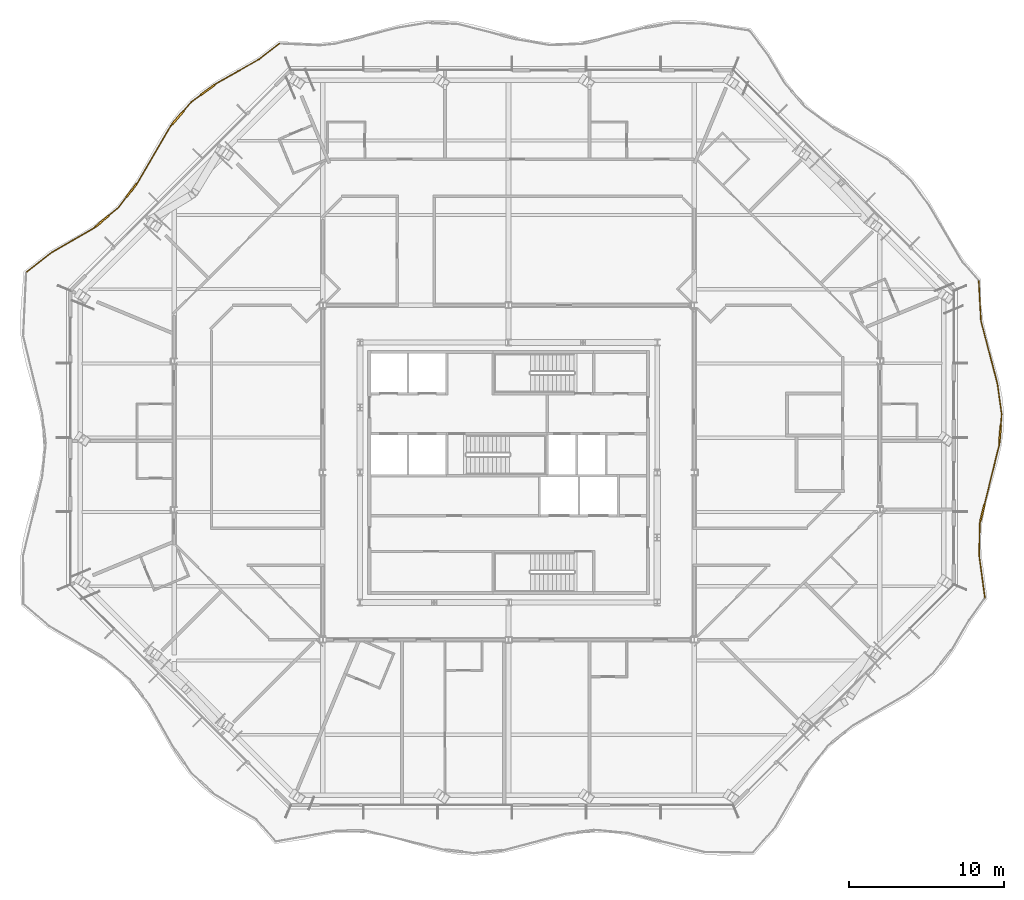
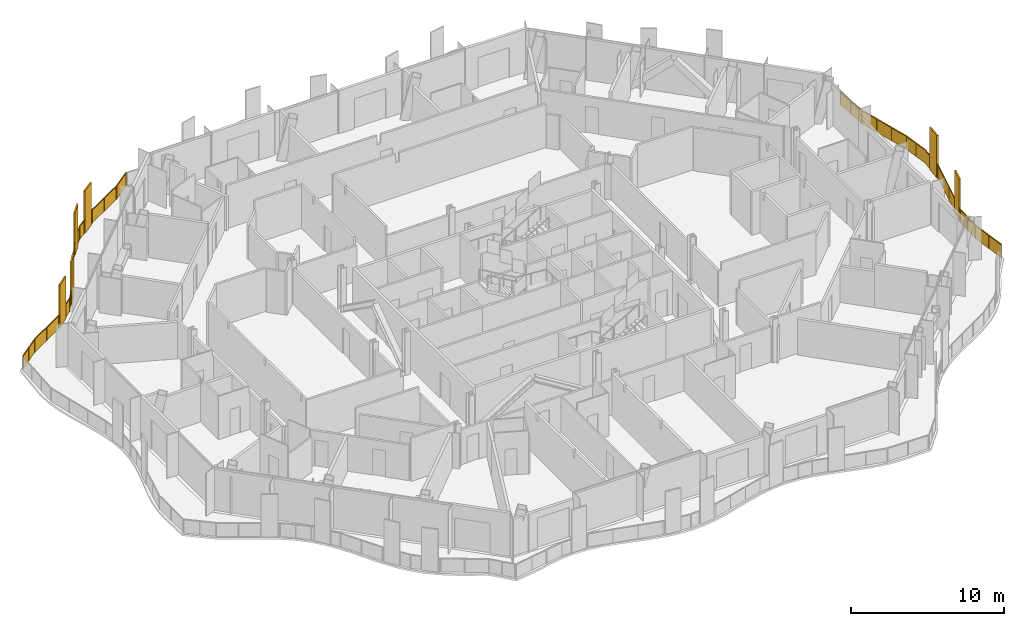
# One storey, part 20 of 22: 2 railings.
"""IFC4 building model written with IfcOpenShell, lengths in metres."""

from ifc_helpers import new_model, si_unit, direction, frame, origin, origin_2d, place, context, subcontext, project, spatial, polyline, rectangle, outline, extrude, material, type_object, element, save


model = new_model("IFC4")

# Units and contexts
model_context = context("Model", 3, precision=1e-05, world=origin(), true_north=direction((0.0, 1.0)))
body_context = subcontext(model_context, "Body", "Model", "MODEL_VIEW")
ifc_project = project(units=[si_unit("LENGTHUNIT", "METRE"), si_unit("AREAUNIT", "SQUARE_METRE"), si_unit("VOLUMEUNIT", "CUBIC_METRE"), si_unit("PLANEANGLEUNIT", "RADIAN"), si_unit("MASSUNIT", "GRAM", prefix="KILO")], contexts=[model_context])

# Site, building, storey
site_placement = place(None, origin())
site = spatial("IfcSite", under=ifc_project, at=site_placement, CompositionType="ELEMENT")
building_placement = place(site_placement, origin())
building = spatial("IfcBuilding", under=site, at=building_placement, Name="Cairn Pilgrim Tower", CompositionType="ELEMENT")
storey_placement = place(building_placement, frame((0.0, 0.0, 175.800048828125)))
storey = spatial("IfcBuildingStorey", under=building, at=storey_placement, Name="L44", CompositionType="ELEMENT", Elevation=175.800048828125)

# Railings
ifc_material = material(Name="Bronze anodised aluminium rail, posts and fin screens with laminated glass infill", Category="aluminium")
railing_type = type_object("IfcRailingType", Name="BALCONY GUARD WITH FIN SCREENS", PredefinedType="GUARDRAIL", material=ifc_material)
railing_1_placement = place(storey_placement, frame((37.987060546875, -5.705322265625, 0.0)))
element("IfcRailing", 1, at=railing_1_placement, inside=storey, type_object=railing_type, Name="Balcony guard BGF-3 with fin screens", PredefinedType="GUARDRAIL", context=body_context, shape_type="SweptSolid", body=[
    extrude(rectangle(XDim=0.050048828125, YDim=0.050048828125, at=origin_2d()), frame((0.0, 0.0, 1.0751953125), z_axis=(-0.134001419027, 0.990981139931, 0.0), x_axis=(-0.990981139931, -0.134001419027, 0.0)), (0.0, 0.0, 1.0), 2.79296875),
    extrude(rectangle(XDim=0.050048828125, YDim=0.050048828125, at=origin_2d()), frame((-0.374267578125, 2.767822265625, 1.0751953125), z_axis=(0.022031577836, 0.999757275331, 0.0), x_axis=(-0.999757275331, 0.022031577836, 0.0)), (0.0, 0.0, 1.0), 2.050048828125),
    extrude(rectangle(XDim=1.10009765625, YDim=0.110107421875, at=origin_2d()), frame((-0.1611328125, 5.496826171875, 0.0), z_axis=(0.0, 0.0, 1.0), x_axis=(0.239965293048, 0.970781467753, 0.0)), (0.0, 0.0, 1.0), 3.39990234375),
    extrude(rectangle(XDim=0.050048828125, YDim=0.050048828125, at=origin_2d()), frame((-0.3291015625, 4.8173828125, 1.0751953125), z_axis=(0.239965293048, 0.970781467753, 0.0), x_axis=(-0.970781467753, 0.239965293048, 0.0)), (0.0, 0.0, 1.0), 0.14990234375),
    extrude(rectangle(XDim=0.050048828125, YDim=0.050048828125, at=origin_2d()), frame((-0.029052734375, 6.03076171875, 1.0751953125), z_axis=(0.239965293048, 0.970781467753, 0.0), x_axis=(-0.970781467753, 0.239965293048, 0.0)), (0.0, 0.0, 1.0), 3.959228515625),
    extrude(rectangle(XDim=1.10009765625, YDim=0.110107421875, at=origin_2d()), frame((0.9775390625, 10.572021484375, 0.0), z_axis=(0.0, 0.0, 1.0), x_axis=(0.08085194133, 0.996726122655, 0.0)), (0.0, 0.0, 1.0), 3.39990234375),
    extrude(rectangle(XDim=0.050048828125, YDim=0.050048828125, at=origin_2d()), frame((0.9208984375, 9.874267578125, 1.0751953125), z_axis=(0.08085194133, 0.996726122655, 0.0), x_axis=(-0.996726122655, 0.08085194133, 0.0)), (0.0, 0.0, 1.0), 0.150146484375),
    extrude(rectangle(XDim=0.050048828125, YDim=0.050048828125, at=origin_2d()), frame((1.02197265625, 11.1201171875, 1.0751953125), z_axis=(0.08085194133, 0.996726122655, 0.0), x_axis=(-0.996726122655, 0.08085194133, 0.0)), (0.0, 0.0, 1.0), 0.7490234375),
    extrude(rectangle(XDim=0.050048828125, YDim=0.050048828125, at=origin_2d()), frame((1.08251953125, 11.86669921875, 1.0751953125), z_axis=(-0.137858884567, 0.990451880682, 0.0), x_axis=(-0.990451880682, -0.137858884567, 0.0)), (0.0, 0.0, 1.0), 2.015380859375),
    extrude(rectangle(XDim=0.050048828125, YDim=0.050048828125, at=origin_2d()), frame((0.8046875, 13.86279296875, 1.0751953125), z_axis=(-0.253870159301, 0.967238306839, 0.0), x_axis=(-0.967238306839, -0.253870159301, 0.0)), (0.0, 0.0, 1.0), 4.185302734375),
    extrude(rectangle(XDim=0.050048828125, YDim=0.050048828125, at=origin_2d()), frame((-0.2578125, 17.910888671875, 1.0751953125), z_axis=(-0.054903173311, 0.99849168327, 0.0), x_axis=(-0.99849168327, -0.054903173311, 0.0)), (0.0, 0.0, 1.0), 2.552490234375),
    extrude(rectangle(XDim=0.050048828125, YDim=0.050048828125, at=origin_2d()), origin(), (0.0, 0.0, 1.0), 1.050048828125),
    extrude(rectangle(XDim=0.050048828125, YDim=0.050048828125, at=origin_2d()), frame((-0.18701171875, 1.3837890625, 0.0)), (0.0, 0.0, 1.0), 1.050048828125),
    extrude(rectangle(XDim=0.050048828125, YDim=0.050048828125, at=origin_2d()), frame((-0.374267578125, 2.767822265625, 0.0)), (0.0, 0.0, 1.0), 1.050048828125),
    extrude(rectangle(XDim=0.050048828125, YDim=0.050048828125, at=origin_2d()), frame((-0.3515625, 3.79248046875, 0.0)), (0.0, 0.0, 1.0), 1.050048828125),
    extrude(rectangle(XDim=0.050048828125, YDim=0.050048828125, at=origin_2d()), frame((-0.3291015625, 4.8173828125, 0.0)), (0.0, 0.0, 1.0), 1.050048828125),
    extrude(rectangle(XDim=0.050048828125, YDim=0.050048828125, at=origin_2d()), frame((-0.299072265625, 4.938720703125, 0.0)), (0.0, 0.0, 1.0), 1.050048828125),
    extrude(rectangle(XDim=0.050048828125, YDim=0.050048828125, at=origin_2d()), frame((-0.023193359375, 6.05517578125, 0.0)), (0.0, 0.0, 1.0), 1.050048828125),
    extrude(rectangle(XDim=0.050048828125, YDim=0.050048828125, at=origin_2d()), frame((0.29150390625, 7.328125, 0.0)), (0.0, 0.0, 1.0), 1.050048828125),
    extrude(rectangle(XDim=0.050048828125, YDim=0.050048828125, at=origin_2d()), frame((0.606201171875, 8.601318359375, 0.0)), (0.0, 0.0, 1.0), 1.050048828125),
    extrude(rectangle(XDim=0.050048828125, YDim=0.050048828125, at=origin_2d()), frame((0.9208984375, 9.874267578125, 0.0)), (0.0, 0.0, 1.0), 1.050048828125),
    extrude(rectangle(XDim=0.050048828125, YDim=0.050048828125, at=origin_2d()), frame((0.930908203125, 9.998779296875, 0.0)), (0.0, 0.0, 1.0), 1.050048828125),
    extrude(rectangle(XDim=0.050048828125, YDim=0.050048828125, at=origin_2d()), frame((1.02392578125, 11.145263671875, 0.0)), (0.0, 0.0, 1.0), 1.050048828125),
    extrude(rectangle(XDim=0.050048828125, YDim=0.050048828125, at=origin_2d()), frame((1.08251953125, 11.86669921875, 0.0)), (0.0, 0.0, 1.0), 1.050048828125),
    extrude(rectangle(XDim=0.050048828125, YDim=0.050048828125, at=origin_2d()), frame((0.943603515625, 12.86474609375, 0.0)), (0.0, 0.0, 1.0), 1.050048828125),
    extrude(rectangle(XDim=0.050048828125, YDim=0.050048828125, at=origin_2d()), frame((0.8046875, 13.86279296875, 0.0)), (0.0, 0.0, 1.0), 1.050048828125),
    extrude(rectangle(XDim=0.050048828125, YDim=0.050048828125, at=origin_2d()), frame((0.450439453125, 15.212158203125, 0.0)), (0.0, 0.0, 1.0), 1.050048828125),
    extrude(rectangle(XDim=0.050048828125, YDim=0.050048828125, at=origin_2d()), frame((0.096435546875, 16.5615234375, 0.0)), (0.0, 0.0, 1.0), 1.050048828125),
    extrude(rectangle(XDim=0.050048828125, YDim=0.050048828125, at=origin_2d()), frame((-0.2578125, 17.910888671875, 0.0)), (0.0, 0.0, 1.0), 1.050048828125),
    extrude(rectangle(XDim=0.050048828125, YDim=0.050048828125, at=origin_2d()), frame((-0.327880859375, 19.18505859375, 0.0)), (0.0, 0.0, 1.0), 1.050048828125),
    extrude(rectangle(XDim=0.050048828125, YDim=0.050048828125, at=origin_2d()), frame((-0.39794921875, 20.45947265625, 0.0)), (0.0, 0.0, 1.0), 1.050048828125),
    extrude(outline(polyline([(0.02490234375, 0.0), (1.37158203125, 0.0), (1.37158203125, 1.050048828125), (0.02490234375, 1.050048828125), (0.02490234375, 0.0)])), frame((-0.005859375, -0.000732421875, 0.0), z_axis=(0.990981139931, 0.134001419027, 0.0), x_axis=(-0.134001419027, 0.990981139931, 0.0)), (0.0, 0.0, 1.0), 0.011962890625),
    extrude(outline(polyline([(0.02490234375, 0.0), (1.37158203125, 0.0), (1.37158203125, 1.050048828125), (0.02490234375, 1.050048828125), (0.02490234375, 0.0)])), frame((-0.193115234375, 1.383056640625, 0.0), z_axis=(0.990981139931, 0.134001419027, 0.0), x_axis=(-0.134001419027, 0.990981139931, 0.0)), (0.0, 0.0, 1.0), 0.011962890625),
    extrude(outline(polyline([(0.02490234375, 0.0), (1.0, 0.0), (1.0, 1.050048828125), (0.02490234375, 1.050048828125), (0.02490234375, 0.0)])), frame((-0.380126953125, 2.76806640625, 0.0), z_axis=(0.999757275331, -0.022031577836, 0.0), x_axis=(0.022031577836, 0.999757275331, 0.0)), (0.0, 0.0, 1.0), 0.011962890625),
    extrude(outline(polyline([(0.02490234375, 0.0), (1.0, 0.0), (1.0, 1.050048828125), (0.02490234375, 1.050048828125), (0.02490234375, 0.0)])), frame((-0.357666015625, 3.792724609375, 0.0), z_axis=(0.999757275331, -0.022031577836, 0.0), x_axis=(0.022031577836, 0.999757275331, 0.0)), (0.0, 0.0, 1.0), 0.011962890625),
    extrude(outline(polyline([(0.02490234375, 0.0), (0.099853515625, 0.0), (0.099853515625, 1.050048828125), (0.02490234375, 1.050048828125), (0.02490234375, 0.0)])), frame((-0.3349609375, 4.81884765625, 0.0), z_axis=(0.970781467753, -0.239965293048, 0.0), x_axis=(0.239965293048, 0.970781467753, 0.0)), (0.0, 0.0, 1.0), 0.011962890625),
    extrude(outline(polyline([(0.02490234375, 0.0), (1.286376953125, 0.0), (1.286376953125, 1.050048828125), (0.02490234375, 1.050048828125), (0.02490234375, 0.0)])), frame((-0.029052734375, 6.056640625, 0.0), z_axis=(0.970781467753, -0.239965293048, 0.0), x_axis=(0.239965293048, 0.970781467753, 0.0)), (0.0, 0.0, 1.0), 0.011962890625),
    extrude(outline(polyline([(0.02490234375, 0.0), (1.286376953125, 0.0), (1.286376953125, 1.050048828125), (0.02490234375, 1.050048828125), (0.02490234375, 0.0)])), frame((0.28564453125, 7.32958984375, 0.0), z_axis=(0.970781467753, -0.239965293048, 0.0), x_axis=(0.239965293048, 0.970781467753, 0.0)), (0.0, 0.0, 1.0), 0.011962890625),
    extrude(outline(polyline([(0.02490234375, 0.0), (1.286376953125, 0.0), (1.286376953125, 1.050048828125), (0.02490234375, 1.050048828125), (0.02490234375, 0.0)])), frame((0.600341796875, 8.6025390625, 0.0), z_axis=(0.970781467753, -0.239965293048, 0.0), x_axis=(0.239965293048, 0.970781467753, 0.0)), (0.0, 0.0, 1.0), 0.011962890625),
    extrude(outline(polyline([(0.02490234375, 0.0), (0.10009765625, 0.0), (0.10009765625, 1.050048828125), (0.02490234375, 1.050048828125), (0.02490234375, 0.0)])), frame((0.9150390625, 9.874755859375, 0.0), z_axis=(0.996726122655, -0.08085194133, 0.0), x_axis=(0.08085194133, 0.996726122655, 0.0)), (0.0, 0.0, 1.0), 0.011962890625),
    extrude(outline(polyline([(0.02490234375, 0.0), (0.698974609375, 0.0), (0.698974609375, 1.050048828125), (0.02490234375, 1.050048828125), (0.02490234375, 0.0)])), frame((1.01806640625, 11.145751953125, 0.0), z_axis=(0.996726122655, -0.08085194133, 0.0), x_axis=(0.08085194133, 0.996726122655, 0.0)), (0.0, 0.0, 1.0), 0.011962890625),
    extrude(outline(polyline([(0.02490234375, 0.0), (0.982666015625, 0.0), (0.982666015625, 1.050048828125), (0.02490234375, 1.050048828125), (0.02490234375, 0.0)])), frame((1.07666015625, 11.865966796875, 0.0), z_axis=(0.990451880682, 0.137858884567, 0.0), x_axis=(-0.137858884567, 0.990451880682, 0.0)), (0.0, 0.0, 1.0), 0.011962890625),
    extrude(outline(polyline([(0.02490234375, 0.0), (0.982666015625, 0.0), (0.982666015625, 1.050048828125), (0.02490234375, 1.050048828125), (0.02490234375, 0.0)])), frame((0.937744140625, 12.864013671875, 0.0), z_axis=(0.990451880682, 0.137858884567, 0.0), x_axis=(-0.137858884567, 0.990451880682, 0.0)), (0.0, 0.0, 1.0), 0.011962890625),
    extrude(outline(polyline([(0.02490234375, 0.0), (1.3701171875, 0.0), (1.3701171875, 1.050048828125), (0.02490234375, 1.050048828125), (0.02490234375, 0.0)])), frame((0.798828125, 13.861328125, 0.0), z_axis=(0.967238306839, 0.253870159301, 0.0), x_axis=(-0.253870159301, 0.967238306839, 0.0)), (0.0, 0.0, 1.0), 0.011962890625),
    extrude(outline(polyline([(0.02490234375, 0.0), (1.3701171875, 0.0), (1.3701171875, 1.050048828125), (0.02490234375, 1.050048828125), (0.02490234375, 0.0)])), frame((0.44482421875, 15.210693359375, 0.0), z_axis=(0.967238306839, 0.253870159301, 0.0), x_axis=(-0.253870159301, 0.967238306839, 0.0)), (0.0, 0.0, 1.0), 0.011962890625),
    extrude(outline(polyline([(0.02490234375, 0.0), (1.3701171875, 0.0), (1.3701171875, 1.050048828125), (0.02490234375, 1.050048828125), (0.02490234375, 0.0)])), frame((0.090576171875, 16.56005859375, 0.0), z_axis=(0.967238306839, 0.253870159301, 0.0), x_axis=(-0.253870159301, 0.967238306839, 0.0)), (0.0, 0.0, 1.0), 0.011962890625),
    extrude(outline(polyline([(0.02490234375, 0.0), (1.251220703125, 0.0), (1.251220703125, 1.050048828125), (0.02490234375, 1.050048828125), (0.02490234375, 0.0)])), frame((-0.263671875, 17.91064453125, 0.0), z_axis=(0.99849168327, 0.054903173311, 0.0), x_axis=(-0.054903173311, 0.99849168327, 0.0)), (0.0, 0.0, 1.0), 0.011962890625),
    extrude(outline(polyline([(0.02490234375, 0.0), (1.251220703125, 0.0), (1.251220703125, 1.050048828125), (0.02490234375, 1.050048828125), (0.02490234375, 0.0)])), frame((-0.333740234375, 19.184814453125, 0.0), z_axis=(0.99849168327, 0.054903173311, 0.0), x_axis=(-0.054903173311, 0.99849168327, 0.0)), (0.0, 0.0, 1.0), 0.011962890625),
])
railing_2_placement = place(storey_placement, frame((-7.602294921875, 30.12890625, 0.0)))
element("IfcRailing", 2, at=railing_2_placement, inside=storey, type_object=railing_type, Name="Balcony guard BGF-6 with fin screens", PredefinedType="GUARDRAIL", context=body_context, shape_type="SweptSolid", body=[
    extrude(rectangle(XDim=0.050048828125, YDim=0.050048828125, at=origin_2d()), frame((0.0, 0.0, 1.0751953125), z_axis=(-0.790063089765, -0.613025541222, 0.0), x_axis=(0.613025541222, -0.790063089765, 0.0)), (0.0, 0.0, 1.0), 1.6630859375),
    extrude(rectangle(XDim=0.050048828125, YDim=0.050048828125, at=origin_2d()), frame((-1.31396484375, -1.01953125, 1.0751953125), z_axis=(-0.870240041956, -0.49262792184, 0.0), x_axis=(0.49262792184, -0.870240041956, 0.0)), (0.0, 0.0, 1.0), 3.17138671875),
    extrude(rectangle(XDim=1.10009765625, YDim=0.110107421875, at=origin_2d()), frame((-4.635986328125, -2.9990234375, 0.0), z_axis=(0.0, 0.0, 1.0), x_axis=(-0.802958969554, -0.596034305399, 0.0)), (0.0, 0.0, 1.0), 3.39990234375),
    extrude(rectangle(XDim=0.050048828125, YDim=0.050048828125, at=origin_2d()), frame((-4.07373046875, -2.581787109375, 1.0751953125), z_axis=(-0.802958969554, -0.596034305399, 0.0), x_axis=(0.596034305399, -0.802958969554, 0.0)), (0.0, 0.0, 1.0), 0.150146484375),
    extrude(rectangle(XDim=0.050048828125, YDim=0.050048828125, at=origin_2d()), frame((-5.07763671875, -3.326904296875, 1.0751953125), z_axis=(-0.802958969554, -0.596034305399, 0.0), x_axis=(0.596034305399, -0.802958969554, 0.0)), (0.0, 0.0, 1.0), 0.78271484375),
    extrude(rectangle(XDim=1.10009765625, YDim=0.110107421875, at=origin_2d()), frame((-6.563232421875, -4.7861328125, 0.0), z_axis=(0.0, 0.0, 1.0), x_axis=(-0.653575630347, -0.756861212784, 0.0)), (0.0, 0.0, 1.0), 3.39990234375),
    extrude(rectangle(XDim=0.050048828125, YDim=0.050048828125, at=origin_2d()), frame((-5.7060546875, -3.79345703125, 1.0751953125), z_axis=(-0.653575630347, -0.756861212784, 0.0), x_axis=(0.756861212784, -0.653575630347, 0.0)), (0.0, 0.0, 1.0), 0.761474609375),
    extrude(rectangle(XDim=0.050048828125, YDim=0.050048828125, at=origin_2d()), frame((-6.922607421875, -5.202392578125, 1.0751953125), z_axis=(-0.653575630347, -0.756861212784, 0.0), x_axis=(0.756861212784, -0.653575630347, 0.0)), (0.0, 0.0, 1.0), 0.14990234375),
    extrude(rectangle(XDim=0.050048828125, YDim=0.050048828125, at=origin_2d()), frame((-7.020751953125, -5.31591796875, 1.0751953125), z_axis=(-0.504491602379, -0.863416598826, 0.0), x_axis=(0.863416598826, -0.504491602379, 0.0)), (0.0, 0.0, 1.0), 4.206298828125),
    extrude(rectangle(XDim=1.10009765625, YDim=0.110107421875, at=origin_2d()), frame((-9.56787109375, -9.50390625, 0.0), z_axis=(0.0, 0.0, 1.0), x_axis=(-0.607297641013, -0.794474401866, 0.0)), (0.0, 0.0, 1.0), 3.39990234375),
    extrude(rectangle(XDim=0.050048828125, YDim=0.050048828125, at=origin_2d()), frame((-9.142822265625, -8.94775390625, 1.0751953125), z_axis=(-0.607297641013, -0.794474401866, 0.0), x_axis=(0.794474401866, -0.607297641013, 0.0)), (0.0, 0.0, 1.0), 0.14990234375),
    extrude(rectangle(XDim=0.050048828125, YDim=0.050048828125, at=origin_2d()), frame((-9.90185546875, -9.940673828125, 1.0751953125), z_axis=(-0.607297641013, -0.794474401866, 0.0), x_axis=(0.794474401866, -0.607297641013, 0.0)), (0.0, 0.0, 1.0), 0.83056640625),
    extrude(rectangle(XDim=1.10009765625, YDim=0.110107421875, at=origin_2d()), frame((-11.460205078125, -11.482421875, 0.0), z_axis=(0.0, 0.0, 1.0), x_axis=(-0.766946262501, -0.641711329521, 0.0)), (0.0, 0.0, 1.0), 3.39990234375),
    extrude(rectangle(XDim=0.050048828125, YDim=0.050048828125, at=origin_2d()), frame((-10.40625, -10.6005859375, 1.0751953125), z_axis=(-0.766946262501, -0.641711329521, 0.0), x_axis=(0.641711329521, -0.766946262501, 0.0)), (0.0, 0.0, 1.0), 0.82421875),
    extrude(rectangle(XDim=0.050048828125, YDim=0.050048828125, at=origin_2d()), frame((-11.882080078125, -11.83544921875, 1.0751953125), z_axis=(-0.766946262501, -0.641711329521, 0.0), x_axis=(0.641711329521, -0.766946262501, 0.0)), (0.0, 0.0, 1.0), 0.14990234375),
    extrude(rectangle(XDim=0.050048828125, YDim=0.050048828125, at=origin_2d()), frame((-11.9970703125, -11.931640625, 1.0751953125), z_axis=(-0.8660892477, -0.499889402787, 0.0), x_axis=(0.499889402787, -0.8660892477, 0.0)), (0.0, 0.0, 1.0), 3.164794921875),
    extrude(rectangle(XDim=0.050048828125, YDim=0.050048828125, at=origin_2d()), frame((-14.738037109375, -13.513671875, 1.0751953125), z_axis=(-0.785143583295, -0.619313776377, 0.0), x_axis=(0.619313776377, -0.785143583295, 0.0)), (0.0, 0.0, 1.0), 2.0361328125),
    extrude(rectangle(XDim=0.050048828125, YDim=0.050048828125, at=origin_2d()), origin(), (0.0, 0.0, 1.0), 1.050048828125),
    extrude(rectangle(XDim=0.050048828125, YDim=0.050048828125, at=origin_2d()), frame((-1.31396484375, -1.01953125, 0.0)), (0.0, 0.0, 1.0), 1.050048828125),
    extrude(rectangle(XDim=0.050048828125, YDim=0.050048828125, at=origin_2d()), frame((-2.69384765625, -1.80078125, 0.0)), (0.0, 0.0, 1.0), 1.050048828125),
    extrude(rectangle(XDim=0.050048828125, YDim=0.050048828125, at=origin_2d()), frame((-4.07373046875, -2.581787109375, 0.0)), (0.0, 0.0, 1.0), 1.050048828125),
    extrude(rectangle(XDim=0.050048828125, YDim=0.050048828125, at=origin_2d()), frame((-4.174072265625, -2.65625, 0.0)), (0.0, 0.0, 1.0), 1.050048828125),
    extrude(rectangle(XDim=0.050048828125, YDim=0.050048828125, at=origin_2d()), frame((-5.09765625, -3.341796875, 0.0)), (0.0, 0.0, 1.0), 1.050048828125),
    extrude(rectangle(XDim=0.050048828125, YDim=0.050048828125, at=origin_2d()), frame((-5.7060546875, -3.79345703125, 0.0)), (0.0, 0.0, 1.0), 1.050048828125),
    extrude(rectangle(XDim=0.050048828125, YDim=0.050048828125, at=origin_2d()), frame((-6.1875, -4.350830078125, 0.0)), (0.0, 0.0, 1.0), 1.050048828125),
    extrude(rectangle(XDim=0.050048828125, YDim=0.050048828125, at=origin_2d()), frame((-6.93896484375, -5.221435546875, 0.0)), (0.0, 0.0, 1.0), 1.050048828125),
    extrude(rectangle(XDim=0.050048828125, YDim=0.050048828125, at=origin_2d()), frame((-7.020751953125, -5.31591796875, 0.0)), (0.0, 0.0, 1.0), 1.050048828125),
    extrude(rectangle(XDim=0.050048828125, YDim=0.050048828125, at=origin_2d()), frame((-7.72802734375, -6.526611328125, 0.0)), (0.0, 0.0, 1.0), 1.050048828125),
    extrude(rectangle(XDim=0.050048828125, YDim=0.050048828125, at=origin_2d()), frame((-8.435546875, -7.737060546875, 0.0)), (0.0, 0.0, 1.0), 1.050048828125),
    extrude(rectangle(XDim=0.050048828125, YDim=0.050048828125, at=origin_2d()), frame((-9.142822265625, -8.94775390625, 0.0)), (0.0, 0.0, 1.0), 1.050048828125),
    extrude(rectangle(XDim=0.050048828125, YDim=0.050048828125, at=origin_2d()), frame((-9.21875, -9.046875, 0.0)), (0.0, 0.0, 1.0), 1.050048828125),
    extrude(rectangle(XDim=0.050048828125, YDim=0.050048828125, at=origin_2d()), frame((-9.9169921875, -9.960693359375, 0.0)), (0.0, 0.0, 1.0), 1.050048828125),
    extrude(rectangle(XDim=0.050048828125, YDim=0.050048828125, at=origin_2d()), frame((-10.40625, -10.6005859375, 0.0)), (0.0, 0.0, 1.0), 1.050048828125),
    extrude(rectangle(XDim=0.050048828125, YDim=0.050048828125, at=origin_2d()), frame((-11.019287109375, -11.113525390625, 0.0)), (0.0, 0.0, 1.0), 1.050048828125),
    extrude(rectangle(XDim=0.050048828125, YDim=0.050048828125, at=origin_2d()), frame((-11.9013671875, -11.8515625, 0.0)), (0.0, 0.0, 1.0), 1.050048828125),
    extrude(rectangle(XDim=0.050048828125, YDim=0.050048828125, at=origin_2d()), frame((-11.9970703125, -11.931640625, 0.0)), (0.0, 0.0, 1.0), 1.050048828125),
    extrude(rectangle(XDim=0.050048828125, YDim=0.050048828125, at=origin_2d()), frame((-13.36767578125, -12.72265625, 0.0)), (0.0, 0.0, 1.0), 1.050048828125),
    extrude(rectangle(XDim=0.050048828125, YDim=0.050048828125, at=origin_2d()), frame((-14.738037109375, -13.513671875, 0.0)), (0.0, 0.0, 1.0), 1.050048828125),
    extrude(rectangle(XDim=0.050048828125, YDim=0.050048828125, at=origin_2d()), frame((-15.537353515625, -14.14404296875, 0.0)), (0.0, 0.0, 1.0), 1.050048828125),
    extrude(rectangle(XDim=0.050048828125, YDim=0.050048828125, at=origin_2d()), frame((-16.336669921875, -14.774658203125, 0.0)), (0.0, 0.0, 1.0), 1.050048828125),
    extrude(outline(polyline([(0.02490234375, 0.0), (1.63818359375, 0.0), (1.63818359375, 1.050048828125), (0.02490234375, 1.050048828125), (0.02490234375, 0.0)])), frame((0.003662109375, -0.004638671875, 0.0), z_axis=(-0.613025541222, 0.790063089765, 0.0), x_axis=(-0.790063089765, -0.613025541222, 0.0)), (0.0, 0.0, 1.0), 0.011962890625),
    extrude(outline(polyline([(0.02490234375, 0.0), (1.560546875, 0.0), (1.560546875, 1.050048828125), (0.02490234375, 1.050048828125), (0.02490234375, 0.0)])), frame((-1.31103515625, -1.024658203125, 0.0), z_axis=(-0.49262792184, 0.870240041956, 0.0), x_axis=(-0.870240041956, -0.49262792184, 0.0)), (0.0, 0.0, 1.0), 0.011962890625),
    extrude(outline(polyline([(0.02490234375, 0.0), (1.560546875, 0.0), (1.560546875, 1.050048828125), (0.02490234375, 1.050048828125), (0.02490234375, 0.0)])), frame((-2.69091796875, -1.805908203125, 0.0), z_axis=(-0.49262792184, 0.870240041956, 0.0), x_axis=(-0.870240041956, -0.49262792184, 0.0)), (0.0, 0.0, 1.0), 0.011962890625),
    extrude(outline(polyline([(0.02490234375, 0.0), (0.10009765625, 0.0), (0.10009765625, 1.050048828125), (0.02490234375, 1.050048828125), (0.02490234375, 0.0)])), frame((-4.070068359375, -2.586669921875, 0.0), z_axis=(-0.596034305399, 0.802958969554, 0.0), x_axis=(-0.802958969554, -0.596034305399, 0.0)), (0.0, 0.0, 1.0), 0.011962890625),
    extrude(outline(polyline([(0.02490234375, 0.0), (0.732666015625, 0.0), (0.732666015625, 1.050048828125), (0.02490234375, 1.050048828125), (0.02490234375, 0.0)])), frame((-5.093994140625, -3.3466796875, 0.0), z_axis=(-0.596034305399, 0.802958969554, 0.0), x_axis=(-0.802958969554, -0.596034305399, 0.0)), (0.0, 0.0, 1.0), 0.011962890625),
    extrude(outline(polyline([(0.02490234375, 0.0), (0.71142578125, 0.0), (0.71142578125, 1.050048828125), (0.02490234375, 1.050048828125), (0.02490234375, 0.0)])), frame((-5.701416015625, -3.79736328125, 0.0), z_axis=(-0.756861212784, 0.653575630347, 0.0), x_axis=(-0.653575630347, -0.756861212784, 0.0)), (0.0, 0.0, 1.0), 0.011962890625),
    extrude(outline(polyline([(0.02490234375, 0.0), (0.099853515625, 0.0), (0.099853515625, 1.050048828125), (0.02490234375, 1.050048828125), (0.02490234375, 0.0)])), frame((-6.9345703125, -5.225341796875, 0.0), z_axis=(-0.756861212784, 0.653575630347, 0.0), x_axis=(-0.653575630347, -0.756861212784, 0.0)), (0.0, 0.0, 1.0), 0.011962890625),
    extrude(outline(polyline([(0.02490234375, 0.0), (1.377197265625, 0.0), (1.377197265625, 1.050048828125), (0.02490234375, 1.050048828125), (0.02490234375, 0.0)])), frame((-7.015625, -5.31884765625, 0.0), z_axis=(-0.863416598826, 0.504491602379, 0.0), x_axis=(-0.504491602379, -0.863416598826, 0.0)), (0.0, 0.0, 1.0), 0.011962890625),
    extrude(outline(polyline([(0.02490234375, 0.0), (1.377197265625, 0.0), (1.377197265625, 1.050048828125), (0.02490234375, 1.050048828125), (0.02490234375, 0.0)])), frame((-7.722900390625, -6.529541015625, 0.0), z_axis=(-0.863416598826, 0.504491602379, 0.0), x_axis=(-0.504491602379, -0.863416598826, 0.0)), (0.0, 0.0, 1.0), 0.011962890625),
    extrude(outline(polyline([(0.02490234375, 0.0), (1.377197265625, 0.0), (1.377197265625, 1.050048828125), (0.02490234375, 1.050048828125), (0.02490234375, 0.0)])), frame((-8.430419921875, -7.740234375, 0.0), z_axis=(-0.863416598826, 0.504491602379, 0.0), x_axis=(-0.504491602379, -0.863416598826, 0.0)), (0.0, 0.0, 1.0), 0.011962890625),
    extrude(outline(polyline([(0.02490234375, 0.0), (0.099853515625, 0.0), (0.099853515625, 1.050048828125), (0.02490234375, 1.050048828125), (0.02490234375, 0.0)])), frame((-9.13818359375, -8.951416015625, 0.0), z_axis=(-0.794474401866, 0.607297641013, 0.0), x_axis=(-0.607297641013, -0.794474401866, 0.0)), (0.0, 0.0, 1.0), 0.011962890625),
    extrude(outline(polyline([(0.02490234375, 0.0), (0.780517578125, 0.0), (0.780517578125, 1.050048828125), (0.02490234375, 1.050048828125), (0.02490234375, 0.0)])), frame((-9.912353515625, -9.96435546875, 0.0), z_axis=(-0.794474401866, 0.607297641013, 0.0), x_axis=(-0.607297641013, -0.794474401866, 0.0)), (0.0, 0.0, 1.0), 0.011962890625),
    extrude(outline(polyline([(0.02490234375, 0.0), (0.774169921875, 0.0), (0.774169921875, 1.050048828125), (0.02490234375, 1.050048828125), (0.02490234375, 0.0)])), frame((-10.40234375, -10.605224609375, 0.0), z_axis=(-0.641711329521, 0.766946262501, 0.0), x_axis=(-0.766946262501, -0.641711329521, 0.0)), (0.0, 0.0, 1.0), 0.011962890625),
    extrude(outline(polyline([(0.02490234375, 0.0), (0.099853515625, 0.0), (0.099853515625, 1.050048828125), (0.02490234375, 1.050048828125), (0.02490234375, 0.0)])), frame((-11.8974609375, -11.856201171875, 0.0), z_axis=(-0.641711329521, 0.766946262501, 0.0), x_axis=(-0.766946262501, -0.641711329521, 0.0)), (0.0, 0.0, 1.0), 0.011962890625),
    extrude(outline(polyline([(0.02490234375, 0.0), (1.557373046875, 0.0), (1.557373046875, 1.050048828125), (0.02490234375, 1.050048828125), (0.02490234375, 0.0)])), frame((-11.994140625, -11.936767578125, 0.0), z_axis=(-0.499889402787, 0.8660892477, 0.0), x_axis=(-0.8660892477, -0.499889402787, 0.0)), (0.0, 0.0, 1.0), 0.011962890625),
    extrude(outline(polyline([(0.02490234375, 0.0), (1.557373046875, 0.0), (1.557373046875, 1.050048828125), (0.02490234375, 1.050048828125), (0.02490234375, 0.0)])), frame((-13.364501953125, -12.727783203125, 0.0), z_axis=(-0.499889402787, 0.8660892477, 0.0), x_axis=(-0.8660892477, -0.499889402787, 0.0)), (0.0, 0.0, 1.0), 0.011962890625),
    extrude(outline(polyline([(0.02490234375, 0.0), (0.992919921875, 0.0), (0.992919921875, 1.050048828125), (0.02490234375, 1.050048828125), (0.02490234375, 0.0)])), frame((-14.734375, -13.518310546875, 0.0), z_axis=(-0.619313776377, 0.785143583295, 0.0), x_axis=(-0.785143583295, -0.619313776377, 0.0)), (0.0, 0.0, 1.0), 0.011962890625),
    extrude(outline(polyline([(0.02490234375, 0.0), (0.992919921875, 0.0), (0.992919921875, 1.050048828125), (0.02490234375, 1.050048828125), (0.02490234375, 0.0)])), frame((-15.53369140625, -14.14892578125, 0.0), z_axis=(-0.619313776377, 0.785143583295, 0.0), x_axis=(-0.785143583295, -0.619313776377, 0.0)), (0.0, 0.0, 1.0), 0.011962890625),
])

save(model, "model.ifc")
